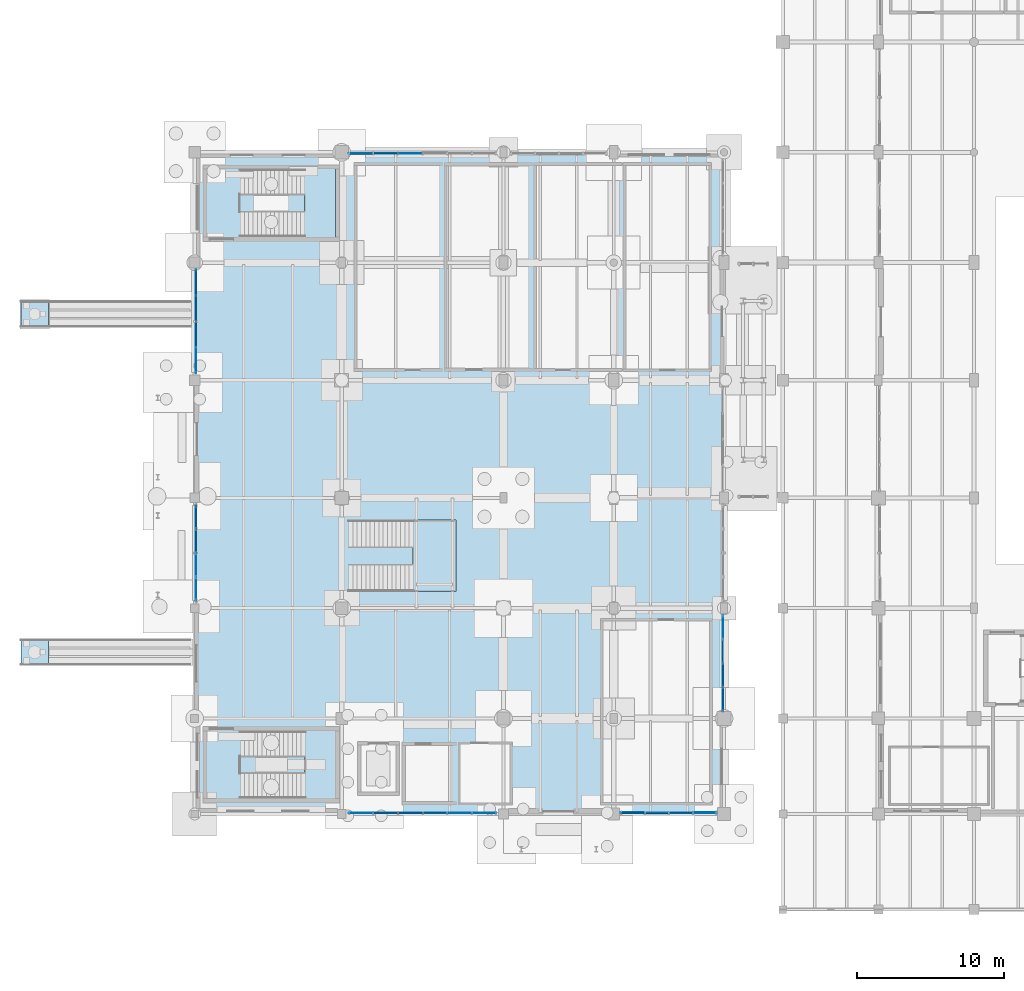
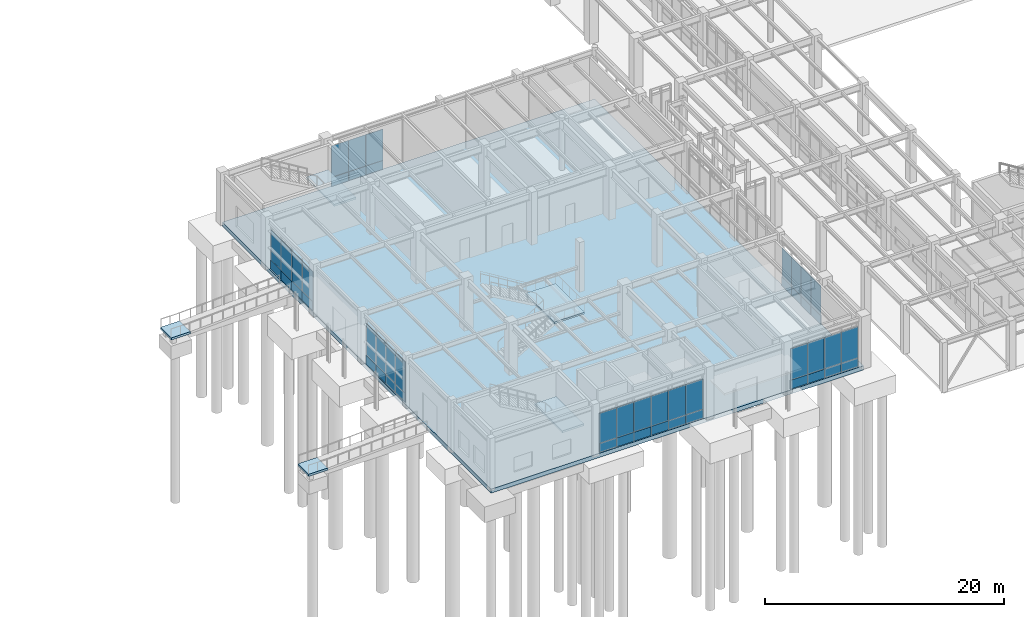
# One storey, part 150 of 203: 50 plates, 6 slabs, 11 elements without a shape of their own.
"""IFC4 building model written with IfcOpenShell, lengths in metres."""

from ifc_helpers import new_model, si_unit, direction, frame, origin, origin_2d, place, context, subcontext, project, spatial, polyline, rectangle, outline, extrude, material, layer, layer_set, type_object, element, aggregate, save


model = new_model("IFC4")

# Units and contexts
model_context = context("Model", 3, precision=1e-05, world=origin(), true_north=direction((0.0, 1.0)))
body_context = subcontext(model_context, "Body", "Model", "MODEL_VIEW")
ifc_project = project(units=[si_unit("LENGTHUNIT", "METRE"), si_unit("AREAUNIT", "SQUARE_METRE"), si_unit("VOLUMEUNIT", "CUBIC_METRE"), si_unit("PLANEANGLEUNIT", "RADIAN"), si_unit("MASSUNIT", "GRAM", prefix="KILO"), si_unit("THERMODYNAMICTEMPERATUREUNIT", "KELVIN"), si_unit("POWERUNIT", "WATT")], contexts=[model_context])

# Site, building, storey
site_placement = place(None, origin())
site = spatial("IfcSite", under=ifc_project, at=site_placement, CompositionType="ELEMENT")
building_placement = place(site_placement, origin())
building = spatial("IfcBuilding", under=site, at=building_placement, Name="Tepalcoro Natatorium and Aquatics Centre", CompositionType="ELEMENT")
storey_placement = place(building_placement, origin())
storey = spatial("IfcBuildingStorey", under=building, at=storey_placement, Name="L00", CompositionType="ELEMENT", Elevation=0.0)

# Curtain wall, plates
ifc_material_1 = material(Name="Bronze-Anodised Extruded Aluminium Alloy EN AW-6063 T6", Category="aluminium")
curtain_wall_type_1 = type_object("IfcCurtainWallType", Name="CW_V3_FOYER", PredefinedType="USERDEFINED", material=ifc_material_1)
curtain_wall_1_placement = place(storey_placement, origin())
curtain_wall_1 = element("IfcCurtainWall", 1, at=curtain_wall_1_placement, inside=storey, type_object=curtain_wall_type_1, Name="V3 L00 S Unitised Curtain Wall Bay 2", ObjectType="UNITISED STOREFRONT", PredefinedType="USERDEFINED")
ifc_material_2 = material(Name="Solar-Control Bronze Tempered Low-E Double Glazing", Category="glass")
ifc_layer_1 = layer(ifc_material_2, 0.048095703125)
ifc_layer_set_1 = layer_set([ifc_layer_1], Name="Solar-Control Bronze Tempered Low-E Double Glazing")
plate_type_1 = type_object("IfcPlateType", Name="PL_ACOUSTIC_IGU_48", PredefinedType="CURTAIN_PANEL", material=ifc_layer_set_1)
plate_1_placement = place(storey_placement, frame((12.989990234375, 6.5712890625, 0.9599609375), z_axis=(0.0, 0.0, 1.0), x_axis=(1.0, 0.0, 0.0)))
plate_1 = element("IfcPlate", 2, at=plate_1_placement, type_object=plate_type_1, Name="CW_V3_FOYER Insulated Glazing Unit", PredefinedType="CURTAIN_PANEL", context=body_context, shape_type="SweptSolid", body=[
    extrude(rectangle(XDim=1.6533203125, YDim=0.048095703125, at=origin_2d()), origin(), (0.0, 0.0, 1.0), 3.073974609375),
])
plate_2_placement = place(storey_placement, frame((18.010009765625, 6.5712890625, 0.9599609375), z_axis=(0.0, 0.0, 1.0), x_axis=(1.0, 0.0, 0.0)))
plate_2 = element("IfcPlate", 3, at=plate_2_placement, type_object=plate_type_1, Name="CW_V3_FOYER Insulated Glazing Unit", PredefinedType="CURTAIN_PANEL", context=body_context, shape_type="SweptSolid", body=[
    extrude(rectangle(XDim=1.6533203125, YDim=0.048095703125, at=origin_2d()), origin(), (0.0, 0.0, 1.0), 3.073974609375),
])

curtain_wall_type_2 = type_object("IfcCurtainWallType", Name="CW_V5_LOWER", PredefinedType="USERDEFINED", material=ifc_material_1)
curtain_wall_2_placement = place(storey_placement, origin())
curtain_wall_2 = element("IfcCurtainWall", 4, at=curtain_wall_2_placement, inside=storey, type_object=curtain_wall_type_2, Name="V3 L00 S Unitised Curtain Wall Bay 4", ObjectType="UNITISED STOREFRONT", PredefinedType="USERDEFINED")
plate_3_placement = place(storey_placement, frame((29.797607421875, 6.580078125, 0.9599609375), z_axis=(0.0, 0.0, 1.0), x_axis=(1.0, 0.0, 0.0)))
plate_3 = element("IfcPlate", 5, at=plate_3_placement, type_object=plate_type_1, Name="CW_V5_LOWER Insulated Glazing Unit", PredefinedType="CURTAIN_PANEL", context=body_context, shape_type="SweptSolid", body=[
    extrude(rectangle(XDim=1.614990234375, YDim=0.048095703125, at=origin_2d()), origin(), (0.0, 0.0, 1.0), 3.197021484375),
])
plate_4_placement = place(storey_placement, frame((34.702392578125, 6.580078125, 0.9599609375), z_axis=(0.0, 0.0, 1.0), x_axis=(1.0, 0.0, 0.0)))
plate_4 = element("IfcPlate", 6, at=plate_4_placement, type_object=plate_type_1, Name="CW_V5_LOWER Insulated Glazing Unit", PredefinedType="CURTAIN_PANEL", context=body_context, shape_type="SweptSolid", body=[
    extrude(rectangle(XDim=1.614990234375, YDim=0.048095703125, at=origin_2d()), origin(), (0.0, 0.0, 1.0), 3.197021484375),
])

# Curtain wall, plate
curtain_wall_type_3 = type_object("IfcCurtainWallType", Name="CW_LEAN_T1_EW", PredefinedType="USERDEFINED", material=ifc_material_1)
curtain_wall_3_placement = place(storey_placement, origin())
curtain_wall_3 = element("IfcCurtainWall", 7, at=curtain_wall_3_placement, inside=storey, type_object=curtain_wall_type_3, Name="V3 L00 N Unitised Curtain Wall Bay 2", ObjectType="FACETED SOLAR GLAZING", PredefinedType="USERDEFINED")
plate_5_placement = place(storey_placement, frame((14.663330078125, 51.4287109375, 0.9599609375), z_axis=(0.0, 0.0, 1.0), x_axis=(1.0, 0.0, 0.0)))
plate_5 = element("IfcPlate", 8, at=plate_5_placement, type_object=plate_type_1, Name="CW_LEAN_T1_EW Insulated Glazing Unit", PredefinedType="CURTAIN_PANEL", context=body_context, shape_type="SweptSolid", body=[
    extrude(rectangle(XDim=1.6533203125, YDim=0.048095703125, at=origin_2d()), origin(), (0.0, 0.0, 1.0), 3.197021484375),
])

# Curtain wall, plates
curtain_wall_4_placement = place(storey_placement, origin())
curtain_wall_4 = element("IfcCurtainWall", 9, at=curtain_wall_4_placement, inside=storey, type_object=curtain_wall_type_3, Name="V3 L00 W Unitised Curtain Wall Bay 3", ObjectType="FACETED SOLAR GLAZING", PredefinedType="USERDEFINED")
plate_6_placement = place(storey_placement, frame((0.090087890625, 21.797607421875, 0.9599609375), z_axis=(0.0, 0.0, 1.0), x_axis=(1.0, 0.0, 0.0)))
plate_6 = element("IfcPlate", 10, at=plate_6_placement, type_object=plate_type_1, Name="CW_LEAN_T1_EW Insulated Glazing Unit", PredefinedType="CURTAIN_PANEL", context=body_context, shape_type="SweptSolid", body=[
    extrude(rectangle(XDim=0.048095703125, YDim=1.614990234375, at=origin_2d()), origin(), (0.0, 0.0, 1.0), 3.197021484375),
])
plate_7_placement = place(storey_placement, frame((0.090087890625, 26.702392578125, 0.9599609375), z_axis=(0.0, 0.0, 1.0), x_axis=(1.0, 0.0, 0.0)))
plate_7 = element("IfcPlate", 11, at=plate_7_placement, type_object=plate_type_1, Name="CW_LEAN_T1_EW Insulated Glazing Unit", PredefinedType="CURTAIN_PANEL", context=body_context, shape_type="SweptSolid", body=[
    extrude(rectangle(XDim=0.048095703125, YDim=1.614990234375, at=origin_2d()), origin(), (0.0, 0.0, 1.0), 3.197021484375),
])

# Curtain wall, plate
curtain_wall_type_4 = type_object("IfcCurtainWallType", Name="CW_LEAN_T2_EW", PredefinedType="USERDEFINED", material=ifc_material_1)
curtain_wall_5_placement = place(storey_placement, origin())
curtain_wall_5 = element("IfcCurtainWall", 12, at=curtain_wall_5_placement, inside=storey, type_object=curtain_wall_type_4, Name="V3 L00 W Unitised Curtain Wall Bay 5", ObjectType="FACETED SOLAR GLAZING", PredefinedType="USERDEFINED")
plate_8_placement = place(storey_placement, frame((0.090087890625, 40.8798828125, 0.9599609375), z_axis=(0.0, 0.0, 1.0), x_axis=(1.0, 0.0, 0.0)))
plate_8 = element("IfcPlate", 13, at=plate_8_placement, type_object=plate_type_1, Name="CW_LEAN_T2_EW Insulated Glazing Unit", PredefinedType="CURTAIN_PANEL", context=body_context, shape_type="SweptSolid", body=[
    extrude(rectangle(XDim=0.048095703125, YDim=1.739990234375, at=origin_2d()), origin(), (0.0, 0.0, 1.0), 3.073974609375),
])

curtain_wall_type_5 = type_object("IfcCurtainWallType", Name="CW_LEAN_T2_NS", PredefinedType="USERDEFINED", material=ifc_material_1)
curtain_wall_6_placement = place(storey_placement, origin())
curtain_wall_6 = element("IfcCurtainWall", 14, at=curtain_wall_6_placement, inside=storey, type_object=curtain_wall_type_5, Name="V3 L00 E Unitised Curtain Wall Bay 2", ObjectType="FACETED SOLAR GLAZING", PredefinedType="USERDEFINED")
plate_9_placement = place(storey_placement, frame((35.923828125, 15.9326171875, 0.9599609375), z_axis=(0.0, 0.0, 1.0), x_axis=(1.0, 0.0, 0.0)))
plate_9 = element("IfcPlate", 15, at=plate_9_placement, type_object=plate_type_1, Name="CW_LEAN_T2_NS Insulated Glazing Unit", PredefinedType="CURTAIN_PANEL", context=body_context, shape_type="SweptSolid", body=[
    extrude(rectangle(XDim=0.048095703125, YDim=1.614990234375, at=origin_2d()), origin(), (0.0, 0.0, 1.0), 2.998046875),
])

# Plate
ifc_layer_2 = layer(ifc_material_2, 0.028076171875)
ifc_layer_set_2 = layer_set([ifc_layer_2], Name="Solar-Control Bronze Tempered Low-E Double Glazing")
plate_type_2 = type_object("IfcPlateType", Name="PL_BRONZE_IGU_28", PredefinedType="CURTAIN_PANEL", material=ifc_layer_set_2)
plate_10_placement = place(storey_placement, frame((11.316650390625, 6.5712890625, 0.9599609375), z_axis=(0.0, 0.0, 1.0), x_axis=(1.0, 0.0, 0.0)))
plate_10 = element("IfcPlate", 16, at=plate_10_placement, type_object=plate_type_2, Name="CW_V3_FOYER Insulated Glazing Unit", PredefinedType="CURTAIN_PANEL", context=body_context, shape_type="SweptSolid", body=[
    extrude(rectangle(XDim=1.6533203125, YDim=0.028076171875, at=origin_2d()), origin(), (0.0, 0.0, 1.0), 3.073974609375),
])

plate_11_placement = place(storey_placement, frame((16.336669921875, 6.5712890625, 0.9599609375), z_axis=(0.0, 0.0, 1.0), x_axis=(1.0, 0.0, 0.0)))
plate_11 = element("IfcPlate", 17, at=plate_11_placement, type_object=plate_type_2, Name="CW_V3_FOYER Insulated Glazing Unit", PredefinedType="CURTAIN_PANEL", context=body_context, shape_type="SweptSolid", body=[
    extrude(rectangle(XDim=1.6533203125, YDim=0.028076171875, at=origin_2d()), origin(), (0.0, 0.0, 1.0), 3.073974609375),
])

plate_12_placement = place(storey_placement, frame((33.0673828125, 6.580078125, 0.9599609375), z_axis=(0.0, 0.0, 1.0), x_axis=(1.0, 0.0, 0.0)))
plate_12 = element("IfcPlate", 18, at=plate_12_placement, type_object=plate_type_2, Name="CW_V5_LOWER Insulated Glazing Unit", PredefinedType="CURTAIN_PANEL", context=body_context, shape_type="SweptSolid", body=[
    extrude(rectangle(XDim=1.614990234375, YDim=0.028076171875, at=origin_2d()), origin(), (0.0, 0.0, 1.0), 3.197021484375),
])

plate_13_placement = place(storey_placement, frame((12.989990234375, 51.4287109375, 0.9599609375), z_axis=(0.0, 0.0, 1.0), x_axis=(1.0, 0.0, 0.0)))
plate_13 = element("IfcPlate", 19, at=plate_13_placement, type_object=plate_type_2, Name="CW_LEAN_T1_EW Insulated Glazing Unit", PredefinedType="CURTAIN_PANEL", context=body_context, shape_type="SweptSolid", body=[
    extrude(rectangle(XDim=1.6533203125, YDim=0.028076171875, at=origin_2d()), origin(), (0.0, 0.0, 1.0), 3.197021484375),
])

plate_14_placement = place(storey_placement, frame((0.090087890625, 25.0673828125, 0.9599609375), z_axis=(0.0, 0.0, 1.0), x_axis=(1.0, 0.0, 0.0)))
plate_14 = element("IfcPlate", 20, at=plate_14_placement, type_object=plate_type_2, Name="CW_LEAN_T1_EW Insulated Glazing Unit", PredefinedType="CURTAIN_PANEL", context=body_context, shape_type="SweptSolid", body=[
    extrude(rectangle(XDim=0.028076171875, YDim=1.614990234375, at=origin_2d()), origin(), (0.0, 0.0, 1.0), 3.197021484375),
])

plate_15_placement = place(storey_placement, frame((0.090087890625, 39.1201171875, 0.9599609375), z_axis=(0.0, 0.0, 1.0), x_axis=(1.0, 0.0, 0.0)))
plate_15 = element("IfcPlate", 21, at=plate_15_placement, type_object=plate_type_2, Name="CW_LEAN_T2_EW Insulated Glazing Unit", PredefinedType="CURTAIN_PANEL", context=body_context, shape_type="SweptSolid", body=[
    extrude(rectangle(XDim=0.028076171875, YDim=1.739990234375, at=origin_2d()), origin(), (0.0, 0.0, 1.0), 3.073974609375),
])

plate_16_placement = place(storey_placement, frame((35.923828125, 14.297607421875, 0.9599609375), z_axis=(0.0, 0.0, 1.0), x_axis=(1.0, 0.0, 0.0)))
plate_16 = element("IfcPlate", 22, at=plate_16_placement, type_object=plate_type_2, Name="CW_LEAN_T2_NS Insulated Glazing Unit", PredefinedType="CURTAIN_PANEL", context=body_context, shape_type="SweptSolid", body=[
    extrude(rectangle(XDim=0.028076171875, YDim=1.614990234375, at=origin_2d()), origin(), (0.0, 0.0, 1.0), 2.998046875),
])

plate_17_placement = place(storey_placement, frame((35.923828125, 19.202392578125, 0.9599609375), z_axis=(0.0, 0.0, 1.0), x_axis=(1.0, 0.0, 0.0)))
plate_17 = element("IfcPlate", 23, at=plate_17_placement, type_object=plate_type_2, Name="CW_LEAN_T2_NS Insulated Glazing Unit", PredefinedType="CURTAIN_PANEL", context=body_context, shape_type="SweptSolid", body=[
    extrude(rectangle(XDim=0.028076171875, YDim=1.614990234375, at=origin_2d()), origin(), (0.0, 0.0, 1.0), 2.998046875),
])

ifc_material_3 = material(Name="Jalisco Cantera Rosa Volcanic Tuff Ashlar Masonry", Category="masonry")
ifc_layer_3 = layer(ifc_material_3, 0.090087890625)
ifc_layer_set_3 = layer_set([ifc_layer_3], Name="Jalisco Cantera Rosa Volcanic Tuff Ashlar Masonry")
plate_type_3 = type_object("IfcPlateType", Name="PL_CANTERA_90", PredefinedType="SHEET", material=ifc_layer_set_3)
plate_18_placement = place(storey_placement, frame((12.989990234375, 6.5712890625, 0.044921875), z_axis=(0.0, 0.0, 1.0), x_axis=(1.0, 0.0, 0.0)))
plate_18 = element("IfcPlate", 24, at=plate_18_placement, type_object=plate_type_3, Name="CW_V3_FOYER Spandrel & Screen Panel", PredefinedType="SHEET", context=body_context, shape_type="SweptSolid", body=[
    extrude(rectangle(XDim=1.6533203125, YDim=0.090087890625, at=origin_2d()), origin(), (0.0, 0.0, 1.0), 0.909912109375),
])

plate_19_placement = place(storey_placement, frame((29.797607421875, 6.580078125, 0.044921875), z_axis=(0.0, 0.0, 1.0), x_axis=(1.0, 0.0, 0.0)))
plate_19 = element("IfcPlate", 25, at=plate_19_placement, type_object=plate_type_3, Name="CW_V5_LOWER Spandrel & Screen Panel", PredefinedType="SHEET", context=body_context, shape_type="SweptSolid", body=[
    extrude(rectangle(XDim=1.614990234375, YDim=0.090087890625, at=origin_2d()), origin(), (0.0, 0.0, 1.0), 0.909912109375),
])

plate_20_placement = place(storey_placement, frame((0.090087890625, 25.0673828125, 0.044921875), z_axis=(0.0, 0.0, 1.0), x_axis=(1.0, 0.0, 0.0)))
plate_20 = element("IfcPlate", 26, at=plate_20_placement, type_object=plate_type_3, Name="CW_LEAN_T1_EW Spandrel & Screen Panel", PredefinedType="SHEET", context=body_context, shape_type="SweptSolid", body=[
    extrude(rectangle(XDim=0.090087890625, YDim=1.614990234375, at=origin_2d()), origin(), (0.0, 0.0, 1.0), 0.909912109375),
])

plate_21_placement = place(storey_placement, frame((0.090087890625, 39.1201171875, 0.044921875), z_axis=(0.0, 0.0, 1.0), x_axis=(1.0, 0.0, 0.0)))
plate_21 = element("IfcPlate", 27, at=plate_21_placement, type_object=plate_type_3, Name="CW_LEAN_T2_EW Spandrel & Screen Panel", PredefinedType="SHEET", context=body_context, shape_type="SweptSolid", body=[
    extrude(rectangle(XDim=0.090087890625, YDim=1.739990234375, at=origin_2d()), origin(), (0.0, 0.0, 1.0), 0.909912109375),
])

plate_22_placement = place(storey_placement, frame((35.923828125, 14.297607421875, 0.044921875), z_axis=(0.0, 0.0, 1.0), x_axis=(1.0, 0.0, 0.0)))
plate_22 = element("IfcPlate", 28, at=plate_22_placement, type_object=plate_type_3, Name="CW_LEAN_T2_NS Spandrel & Screen Panel", PredefinedType="SHEET", context=body_context, shape_type="SweptSolid", body=[
    extrude(rectangle(XDim=0.090087890625, YDim=1.614990234375, at=origin_2d()), origin(), (0.0, 0.0, 1.0), 0.909912109375),
])

ifc_material_4 = material(Name="Clear Tempered Low-E Safety Glazing", Category="glass")
ifc_layer_4 = layer(ifc_material_4, 0.011962890625)
ifc_layer_set_4 = layer_set([ifc_layer_4], Name="Clear Tempered Low-E Safety Glazing")
plate_type_4 = type_object("IfcPlateType", Name="PL_GLASS_12", PredefinedType="CURTAIN_PANEL", material=ifc_layer_set_4)
plate_23_placement = place(storey_placement, frame((14.663330078125, 6.5712890625, 0.9599609375), z_axis=(0.0, 0.0, 1.0), x_axis=(1.0, 0.0, 0.0)))
plate_23 = element("IfcPlate", 29, at=plate_23_placement, type_object=plate_type_4, Name="CW_V3_FOYER Insulated Glazing Unit", PredefinedType="CURTAIN_PANEL", context=body_context, shape_type="SweptSolid", body=[
    extrude(rectangle(XDim=1.6533203125, YDim=0.011962890625, at=origin_2d()), origin(), (0.0, 0.0, 1.0), 3.073974609375),
])

plate_24_placement = place(storey_placement, frame((19.683349609375, 6.5712890625, 0.9599609375), z_axis=(0.0, 0.0, 1.0), x_axis=(1.0, 0.0, 0.0)))
plate_24 = element("IfcPlate", 30, at=plate_24_placement, type_object=plate_type_4, Name="CW_V3_FOYER Insulated Glazing Unit", PredefinedType="CURTAIN_PANEL", context=body_context, shape_type="SweptSolid", body=[
    extrude(rectangle(XDim=1.6533203125, YDim=0.011962890625, at=origin_2d()), origin(), (0.0, 0.0, 1.0), 3.073974609375),
])

plate_25_placement = place(storey_placement, frame((31.4326171875, 6.580078125, 0.9599609375), z_axis=(0.0, 0.0, 1.0), x_axis=(1.0, 0.0, 0.0)))
plate_25 = element("IfcPlate", 31, at=plate_25_placement, type_object=plate_type_4, Name="CW_V5_LOWER Insulated Glazing Unit", PredefinedType="CURTAIN_PANEL", context=body_context, shape_type="SweptSolid", body=[
    extrude(rectangle(XDim=1.614990234375, YDim=0.011962890625, at=origin_2d()), origin(), (0.0, 0.0, 1.0), 3.197021484375),
])

plate_26_placement = place(storey_placement, frame((11.316650390625, 51.4287109375, 0.9599609375), z_axis=(0.0, 0.0, 1.0), x_axis=(1.0, 0.0, 0.0)))
plate_26 = element("IfcPlate", 32, at=plate_26_placement, type_object=plate_type_4, Name="CW_LEAN_T1_EW Insulated Glazing Unit", PredefinedType="CURTAIN_PANEL", context=body_context, shape_type="SweptSolid", body=[
    extrude(rectangle(XDim=1.6533203125, YDim=0.011962890625, at=origin_2d()), origin(), (0.0, 0.0, 1.0), 3.197021484375),
])

plate_27_placement = place(storey_placement, frame((0.090087890625, 23.4326171875, 0.9599609375), z_axis=(0.0, 0.0, 1.0), x_axis=(1.0, 0.0, 0.0)))
plate_27 = element("IfcPlate", 33, at=plate_27_placement, type_object=plate_type_4, Name="CW_LEAN_T1_EW Insulated Glazing Unit", PredefinedType="CURTAIN_PANEL", context=body_context, shape_type="SweptSolid", body=[
    extrude(rectangle(XDim=0.011962890625, YDim=1.614990234375, at=origin_2d()), origin(), (0.0, 0.0, 1.0), 3.197021484375),
])

plate_28_placement = place(storey_placement, frame((0.090087890625, 37.360107421875, 0.9599609375), z_axis=(0.0, 0.0, 1.0), x_axis=(1.0, 0.0, 0.0)))
plate_28 = element("IfcPlate", 34, at=plate_28_placement, type_object=plate_type_4, Name="CW_LEAN_T2_EW Insulated Glazing Unit", PredefinedType="CURTAIN_PANEL", context=body_context, shape_type="SweptSolid", body=[
    extrude(rectangle(XDim=0.011962890625, YDim=1.739990234375, at=origin_2d()), origin(), (0.0, 0.0, 1.0), 3.073974609375),
])

plate_29_placement = place(storey_placement, frame((0.090087890625, 42.639892578125, 0.9599609375), z_axis=(0.0, 0.0, 1.0), x_axis=(1.0, 0.0, 0.0)))
plate_29 = element("IfcPlate", 35, at=plate_29_placement, type_object=plate_type_4, Name="CW_LEAN_T2_EW Insulated Glazing Unit", PredefinedType="CURTAIN_PANEL", context=body_context, shape_type="SweptSolid", body=[
    extrude(rectangle(XDim=0.011962890625, YDim=1.739990234375, at=origin_2d()), origin(), (0.0, 0.0, 1.0), 3.073974609375),
])

plate_30_placement = place(storey_placement, frame((35.923828125, 17.5673828125, 0.9599609375), z_axis=(0.0, 0.0, 1.0), x_axis=(1.0, 0.0, 0.0)))
plate_30 = element("IfcPlate", 36, at=plate_30_placement, type_object=plate_type_4, Name="CW_LEAN_T2_NS Insulated Glazing Unit", PredefinedType="CURTAIN_PANEL", context=body_context, shape_type="SweptSolid", body=[
    extrude(rectangle(XDim=0.011962890625, YDim=1.614990234375, at=origin_2d()), origin(), (0.0, 0.0, 1.0), 2.998046875),
])

ifc_material_5 = material(Name="Volcanic Recinto Basalt Ashlar Masonry", Category="masonry")
ifc_layer_5 = layer(ifc_material_5, 0.110107421875)
ifc_layer_set_5 = layer_set([ifc_layer_5], Name="Volcanic Recinto Basalt Ashlar Masonry")
plate_type_5 = type_object("IfcPlateType", Name="PL_RECINTO_110", PredefinedType="SHEET", material=ifc_layer_set_5)
plate_31_placement = place(storey_placement, frame((14.663330078125, 6.5712890625, 0.044921875), z_axis=(0.0, 0.0, 1.0), x_axis=(1.0, 0.0, 0.0)))
plate_31 = element("IfcPlate", 37, at=plate_31_placement, type_object=plate_type_5, Name="CW_V3_FOYER Spandrel & Screen Panel", PredefinedType="SHEET", context=body_context, shape_type="SweptSolid", body=[
    extrude(rectangle(XDim=1.6533203125, YDim=0.110107421875, at=origin_2d()), origin(), (0.0, 0.0, 1.0), 0.909912109375),
])

plate_32_placement = place(storey_placement, frame((31.4326171875, 6.580078125, 0.044921875), z_axis=(0.0, 0.0, 1.0), x_axis=(1.0, 0.0, 0.0)))
plate_32 = element("IfcPlate", 38, at=plate_32_placement, type_object=plate_type_5, Name="CW_V5_LOWER Spandrel & Screen Panel", PredefinedType="SHEET", context=body_context, shape_type="SweptSolid", body=[
    extrude(rectangle(XDim=1.614990234375, YDim=0.110107421875, at=origin_2d()), origin(), (0.0, 0.0, 1.0), 0.909912109375),
])

plate_33_placement = place(storey_placement, frame((11.316650390625, 51.4287109375, 0.044921875), z_axis=(0.0, 0.0, 1.0), x_axis=(1.0, 0.0, 0.0)))
plate_33 = element("IfcPlate", 39, at=plate_33_placement, type_object=plate_type_5, Name="CW_LEAN_T1_EW Spandrel & Screen Panel", PredefinedType="SHEET", context=body_context, shape_type="SweptSolid", body=[
    extrude(rectangle(XDim=1.6533203125, YDim=0.110107421875, at=origin_2d()), origin(), (0.0, 0.0, 1.0), 0.909912109375),
])

plate_34_placement = place(storey_placement, frame((0.090087890625, 26.702392578125, 0.044921875), z_axis=(0.0, 0.0, 1.0), x_axis=(1.0, 0.0, 0.0)))
plate_34 = element("IfcPlate", 40, at=plate_34_placement, type_object=plate_type_5, Name="CW_LEAN_T1_EW Spandrel & Screen Panel", PredefinedType="SHEET", context=body_context, shape_type="SweptSolid", body=[
    extrude(rectangle(XDim=0.110107421875, YDim=1.614990234375, at=origin_2d()), origin(), (0.0, 0.0, 1.0), 0.909912109375),
])

plate_35_placement = place(storey_placement, frame((0.090087890625, 40.8798828125, 0.044921875), z_axis=(0.0, 0.0, 1.0), x_axis=(1.0, 0.0, 0.0)))
plate_35 = element("IfcPlate", 41, at=plate_35_placement, type_object=plate_type_5, Name="CW_LEAN_T2_EW Spandrel & Screen Panel", PredefinedType="SHEET", context=body_context, shape_type="SweptSolid", body=[
    extrude(rectangle(XDim=0.110107421875, YDim=1.739990234375, at=origin_2d()), origin(), (0.0, 0.0, 1.0), 0.909912109375),
])

plate_36_placement = place(storey_placement, frame((35.923828125, 15.9326171875, 0.044921875), z_axis=(0.0, 0.0, 1.0), x_axis=(1.0, 0.0, 0.0)))
plate_36 = element("IfcPlate", 42, at=plate_36_placement, type_object=plate_type_5, Name="CW_LEAN_T2_NS Spandrel & Screen Panel", PredefinedType="SHEET", context=body_context, shape_type="SweptSolid", body=[
    extrude(rectangle(XDim=0.110107421875, YDim=1.614990234375, at=origin_2d()), origin(), (0.0, 0.0, 1.0), 0.909912109375),
])

ifc_layer_6 = layer(ifc_material_1, 0.050048828125)
ifc_layer_set_6 = layer_set([ifc_layer_6], Name="Bronze-Anodised Extruded Aluminium Alloy EN AW-6063 T6")
plate_type_6 = type_object("IfcPlateType", Name="PL_SCREEN_50", PredefinedType="SHEET", material=ifc_layer_set_6)
plate_37_placement = place(storey_placement, frame((18.010009765625, 6.5712890625, 0.044921875), z_axis=(0.0, 0.0, 1.0), x_axis=(1.0, 0.0, 0.0)))
plate_37 = element("IfcPlate", 43, at=plate_37_placement, type_object=plate_type_6, Name="CW_V3_FOYER Spandrel & Screen Panel", PredefinedType="SHEET", context=body_context, shape_type="SweptSolid", body=[
    extrude(rectangle(XDim=1.6533203125, YDim=0.050048828125, at=origin_2d()), origin(), (0.0, 0.0, 1.0), 0.909912109375),
])

plate_38_placement = place(storey_placement, frame((34.702392578125, 6.580078125, 0.044921875), z_axis=(0.0, 0.0, 1.0), x_axis=(1.0, 0.0, 0.0)))
plate_38 = element("IfcPlate", 44, at=plate_38_placement, type_object=plate_type_6, Name="CW_V5_LOWER Spandrel & Screen Panel", PredefinedType="SHEET", context=body_context, shape_type="SweptSolid", body=[
    extrude(rectangle(XDim=1.614990234375, YDim=0.050048828125, at=origin_2d()), origin(), (0.0, 0.0, 1.0), 0.909912109375),
])

plate_39_placement = place(storey_placement, frame((14.663330078125, 51.4287109375, 0.044921875), z_axis=(0.0, 0.0, 1.0), x_axis=(1.0, 0.0, 0.0)))
plate_39 = element("IfcPlate", 45, at=plate_39_placement, type_object=plate_type_6, Name="CW_LEAN_T1_EW Spandrel & Screen Panel", PredefinedType="SHEET", context=body_context, shape_type="SweptSolid", body=[
    extrude(rectangle(XDim=1.6533203125, YDim=0.050048828125, at=origin_2d()), origin(), (0.0, 0.0, 1.0), 0.909912109375),
])

plate_40_placement = place(storey_placement, frame((0.090087890625, 21.797607421875, 0.044921875), z_axis=(0.0, 0.0, 1.0), x_axis=(1.0, 0.0, 0.0)))
plate_40 = element("IfcPlate", 46, at=plate_40_placement, type_object=plate_type_6, Name="CW_LEAN_T1_EW Spandrel & Screen Panel", PredefinedType="SHEET", context=body_context, shape_type="SweptSolid", body=[
    extrude(rectangle(XDim=0.050048828125, YDim=1.614990234375, at=origin_2d()), origin(), (0.0, 0.0, 1.0), 0.909912109375),
])

plate_41_placement = place(storey_placement, frame((35.923828125, 19.202392578125, 0.044921875), z_axis=(0.0, 0.0, 1.0), x_axis=(1.0, 0.0, 0.0)))
plate_41 = element("IfcPlate", 47, at=plate_41_placement, type_object=plate_type_6, Name="CW_LEAN_T2_NS Spandrel & Screen Panel", PredefinedType="SHEET", context=body_context, shape_type="SweptSolid", body=[
    extrude(rectangle(XDim=0.050048828125, YDim=1.614990234375, at=origin_2d()), origin(), (0.0, 0.0, 1.0), 0.909912109375),
])

ifc_layer_7 = layer(ifc_material_1, 0.06005859375)
ifc_layer_set_7 = layer_set([ifc_layer_7], Name="Bronze-Anodised Extruded Aluminium Alloy EN AW-6063 T6")
plate_type_7 = type_object("IfcPlateType", Name="PL_SCREEN_60", PredefinedType="SHEET", material=ifc_layer_set_7)
plate_42_placement = place(storey_placement, frame((11.316650390625, 6.5712890625, 0.044921875), z_axis=(0.0, 0.0, 1.0), x_axis=(1.0, 0.0, 0.0)))
plate_42 = element("IfcPlate", 48, at=plate_42_placement, type_object=plate_type_7, Name="CW_V3_FOYER Spandrel & Screen Panel", PredefinedType="SHEET", context=body_context, shape_type="SweptSolid", body=[
    extrude(rectangle(XDim=1.6533203125, YDim=0.06005859375, at=origin_2d()), origin(), (0.0, 0.0, 1.0), 0.909912109375),
])

plate_43_placement = place(storey_placement, frame((19.683349609375, 6.5712890625, 0.044921875), z_axis=(0.0, 0.0, 1.0), x_axis=(1.0, 0.0, 0.0)))
plate_43 = element("IfcPlate", 49, at=plate_43_placement, type_object=plate_type_7, Name="CW_V3_FOYER Spandrel & Screen Panel", PredefinedType="SHEET", context=body_context, shape_type="SweptSolid", body=[
    extrude(rectangle(XDim=1.6533203125, YDim=0.06005859375, at=origin_2d()), origin(), (0.0, 0.0, 1.0), 0.909912109375),
])

plate_44_placement = place(storey_placement, frame((0.090087890625, 23.4326171875, 0.044921875), z_axis=(0.0, 0.0, 1.0), x_axis=(1.0, 0.0, 0.0)))
plate_44 = element("IfcPlate", 50, at=plate_44_placement, type_object=plate_type_7, Name="CW_LEAN_T1_EW Spandrel & Screen Panel", PredefinedType="SHEET", context=body_context, shape_type="SweptSolid", body=[
    extrude(rectangle(XDim=0.06005859375, YDim=1.614990234375, at=origin_2d()), origin(), (0.0, 0.0, 1.0), 0.909912109375),
])

aggregate(curtain_wall_4, [plate_6, plate_40, plate_27, plate_44, plate_14, plate_20, plate_7, plate_34])

plate_45_placement = place(storey_placement, frame((0.090087890625, 37.360107421875, 0.044921875), z_axis=(0.0, 0.0, 1.0), x_axis=(1.0, 0.0, 0.0)))
plate_45 = element("IfcPlate", 51, at=plate_45_placement, type_object=plate_type_7, Name="CW_LEAN_T2_EW Spandrel & Screen Panel", PredefinedType="SHEET", context=body_context, shape_type="SweptSolid", body=[
    extrude(rectangle(XDim=0.06005859375, YDim=1.739990234375, at=origin_2d()), origin(), (0.0, 0.0, 1.0), 0.909912109375),
])

ifc_material_6 = material(Name="Insulated Bronze Anodised Aluminium Spandrel Panel", Category="aluminium")
ifc_layer_8 = layer(ifc_material_6, 0.070068359375)
ifc_layer_set_8 = layer_set([ifc_layer_8], Name="Insulated Bronze Anodised Aluminium Spandrel Panel")
plate_type_8 = type_object("IfcPlateType", Name="PL_SPANDREL_70", PredefinedType="CURTAIN_PANEL", material=ifc_layer_set_8)
plate_46_placement = place(storey_placement, frame((16.336669921875, 6.5712890625, 0.044921875), z_axis=(0.0, 0.0, 1.0), x_axis=(1.0, 0.0, 0.0)))
plate_46 = element("IfcPlate", 52, at=plate_46_placement, type_object=plate_type_8, Name="CW_V3_FOYER Spandrel & Screen Panel", PredefinedType="CURTAIN_PANEL", context=body_context, shape_type="SweptSolid", body=[
    extrude(rectangle(XDim=1.6533203125, YDim=0.070068359375, at=origin_2d()), origin(), (0.0, 0.0, 1.0), 0.909912109375),
])

aggregate(curtain_wall_1, [plate_10, plate_42, plate_1, plate_18, plate_23, plate_31, plate_11, plate_46, plate_2, plate_37, plate_24, plate_43])

plate_47_placement = place(storey_placement, frame((33.0673828125, 6.580078125, 0.044921875), z_axis=(0.0, 0.0, 1.0), x_axis=(1.0, 0.0, 0.0)))
plate_47 = element("IfcPlate", 53, at=plate_47_placement, type_object=plate_type_8, Name="CW_V5_LOWER Spandrel & Screen Panel", PredefinedType="CURTAIN_PANEL", context=body_context, shape_type="SweptSolid", body=[
    extrude(rectangle(XDim=1.614990234375, YDim=0.070068359375, at=origin_2d()), origin(), (0.0, 0.0, 1.0), 0.909912109375),
])

aggregate(curtain_wall_2, [plate_3, plate_19, plate_25, plate_32, plate_12, plate_47, plate_4, plate_38])

plate_48_placement = place(storey_placement, frame((12.989990234375, 51.4287109375, 0.044921875), z_axis=(0.0, 0.0, 1.0), x_axis=(1.0, 0.0, 0.0)))
plate_48 = element("IfcPlate", 54, at=plate_48_placement, type_object=plate_type_8, Name="CW_LEAN_T1_EW Spandrel & Screen Panel", PredefinedType="CURTAIN_PANEL", context=body_context, shape_type="SweptSolid", body=[
    extrude(rectangle(XDim=1.6533203125, YDim=0.070068359375, at=origin_2d()), origin(), (0.0, 0.0, 1.0), 0.909912109375),
])

aggregate(curtain_wall_3, [plate_26, plate_33, plate_13, plate_48, plate_5, plate_39])

plate_49_placement = place(storey_placement, frame((0.090087890625, 42.639892578125, 0.044921875), z_axis=(0.0, 0.0, 1.0), x_axis=(1.0, 0.0, 0.0)))
plate_49 = element("IfcPlate", 55, at=plate_49_placement, type_object=plate_type_8, Name="CW_LEAN_T2_EW Spandrel & Screen Panel", PredefinedType="CURTAIN_PANEL", context=body_context, shape_type="SweptSolid", body=[
    extrude(rectangle(XDim=0.070068359375, YDim=1.739990234375, at=origin_2d()), origin(), (0.0, 0.0, 1.0), 0.909912109375),
])

aggregate(curtain_wall_5, [plate_28, plate_45, plate_15, plate_21, plate_8, plate_35, plate_29, plate_49])

plate_50_placement = place(storey_placement, frame((35.923828125, 17.5673828125, 0.044921875), z_axis=(0.0, 0.0, 1.0), x_axis=(1.0, 0.0, 0.0)))
plate_50 = element("IfcPlate", 56, at=plate_50_placement, type_object=plate_type_8, Name="CW_LEAN_T2_NS Spandrel & Screen Panel", PredefinedType="CURTAIN_PANEL", context=body_context, shape_type="SweptSolid", body=[
    extrude(rectangle(XDim=0.070068359375, YDim=1.614990234375, at=origin_2d()), origin(), (0.0, 0.0, 1.0), 0.909912109375),
])

aggregate(curtain_wall_6, [plate_16, plate_22, plate_9, plate_36, plate_30, plate_50, plate_17, plate_41])

# Slab
ifc_material_7 = material(Name="Concrete C40/50 (fc 40 MPa)", Category="concrete")
ifc_layer_9 = layer(ifc_material_7, 0.419921875)
ifc_layer_set_9 = layer_set([ifc_layer_9], Name="Concrete C40/50 (fc 40 MPa)")
slab_type_1 = type_object("IfcSlabType", Name="SL_BASE_420", PredefinedType="BASESLAB", material=ifc_layer_set_9)
slab_1_placement = place(storey_placement, frame((0.0, 0.0, -0.419921875)))
element("IfcSlab", 57, at=slab_1_placement, inside=storey, type_object=slab_type_1, Name="V3 L00 Natatorium and Civic Floor Slab MAIN", PredefinedType="BASESLAB", context=body_context, shape_type="SweptSolid", body=[
    extrude(outline(polyline([(36.0, 6.5), (36.0, 51.5), (0.0, 51.5), (0.0, 6.5), (36.0, 6.5)])), origin(), (0.0, 0.0, 1.0), 0.419921875),
])

# Stair, slab
ifc_material_8 = material(Name="Concrete C35/45 (fc 35 MPa)", Category="concrete")
stair_type_1 = type_object("IfcStairType", Name="ST_RC_1800_L03", PredefinedType="HALF_TURN_STAIR", material=ifc_material_8)
stair_1_placement = place(storey_placement, origin())
stair_1 = element("IfcStair", 58, at=stair_1_placement, inside=storey, type_object=stair_type_1, Name="Entrance Atrium South Fire Stair (L00 to L01)", PredefinedType="HALF_TURN_STAIR")
ifc_layer_10 = layer(ifc_material_8, 0.199951171875)
ifc_layer_set_10 = layer_set([ifc_layer_10], Name="Concrete C35/45 (fc 35 MPa)")
slab_type_2 = type_object("IfcSlabType", Name="SL_LANDING_200", PredefinedType="LANDING", material=ifc_layer_set_10)
slab_2_placement = place(storey_placement, frame((0.0, 0.0, 2.5)))
slab_2 = element("IfcSlab", 59, at=slab_2_placement, type_object=slab_type_2, Name="Entrance Atrium South Fire Stair (L00 to L01) Half-Landing", PredefinedType="LANDING", context=body_context, shape_type="SweptSolid", body=[
    extrude(outline(polyline([(7.485107421875, 7.530029296875), (9.570068359375, 7.530029296875), (9.570068359375, 12.169921875), (7.485107421875, 12.169921875), (7.485107421875, 7.530029296875)])), origin(), (0.0, 0.0, 1.0), 0.199951171875),
])
aggregate(stair_1, [slab_2])

stair_type_2 = type_object("IfcStairType", Name="ST_RC_1800_B1", PredefinedType="HALF_TURN_STAIR", material=ifc_material_8)
stair_2_placement = place(storey_placement, origin())
stair_2 = element("IfcStair", 60, at=stair_2_placement, inside=storey, type_object=stair_type_2, Name="Entrance Atrium North Fire Stair (L00 to L01)", PredefinedType="HALF_TURN_STAIR")
slab_3_placement = place(storey_placement, frame((0.0, 0.0, 2.5)))
slab_3 = element("IfcSlab", 61, at=slab_3_placement, type_object=slab_type_2, Name="Entrance Atrium North Fire Stair (L00 to L01) Half-Landing", PredefinedType="LANDING", context=body_context, shape_type="SweptSolid", body=[
    extrude(outline(polyline([(7.465087890625, 45.7099609375), (9.590087890625, 45.7099609375), (9.590087890625, 50.389892578125), (7.465087890625, 50.389892578125), (7.465087890625, 45.7099609375)])), origin(), (0.0, 0.0, 1.0), 0.199951171875),
])
aggregate(stair_2, [slab_3])

stair_type_3 = type_object("IfcStairType", Name="ST_ST_2400_FEAT", PredefinedType="STRAIGHT_RUN_STAIR", material=ifc_material_8)
stair_3_placement = place(storey_placement, origin())
stair_3 = element("IfcStair", 62, at=stair_3_placement, inside=storey, type_object=stair_type_3, Name="V3 Grand Civic Atrium Feature Stair", PredefinedType="STRAIGHT_RUN_STAIR")
slab_4_placement = place(storey_placement, frame((0.0, 0.0, 2.5)))
slab_4 = element("IfcSlab", 63, at=slab_4_placement, type_object=slab_type_2, Name="V3 Grand Civic Atrium Feature Stair Half-Landing", PredefinedType="LANDING", context=body_context, shape_type="SweptSolid", body=[
    extrude(outline(polyline([(14.844970703125, 21.6201171875), (17.780029296875, 21.6201171875), (17.780029296875, 26.47998046875), (14.844970703125, 26.47998046875), (14.844970703125, 21.6201171875)])), origin(), (0.0, 0.0, 1.0), 0.199951171875),
])
aggregate(stair_3, [slab_4])

# Ramp, slab
ramp_type = type_object("IfcRampType", Name="RP_PED_1800", PredefinedType="STRAIGHT_RUN_RAMP", material=ifc_material_8)
ramp_1_placement = place(storey_placement, origin())
ramp_1 = element("IfcRamp", 64, at=ramp_1_placement, inside=storey, type_object=ramp_type, Name="V3 West Plaza Accessible Ramp North", PredefinedType="STRAIGHT_RUN_RAMP")
slab_5_placement = place(storey_placement, frame((0.0, 0.0, -0.699951171875)))
slab_5 = element("IfcSlab", 65, at=slab_5_placement, type_object=slab_type_2, Name="V3 West Plaza Accessible Ramp North Bottom Level Landing", PredefinedType="LANDING", context=body_context, shape_type="SweptSolid", body=[
    extrude(outline(polyline([(-11.800048828125, 16.60009765625), (-9.93994140625, 16.60009765625), (-9.93994140625, 18.39990234375), (-11.800048828125, 18.39990234375), (-11.800048828125, 16.60009765625)])), origin(), (0.0, 0.0, 1.0), 0.219970703125),
])
aggregate(ramp_1, [slab_5])

ramp_2_placement = place(storey_placement, origin())
ramp_2 = element("IfcRamp", 66, at=ramp_2_placement, inside=storey, type_object=ramp_type, Name="V3 West Plaza Accessible Ramp South", PredefinedType="STRAIGHT_RUN_RAMP")
slab_6_placement = place(storey_placement, frame((0.0, 0.0, -0.699951171875)))
slab_6 = element("IfcSlab", 67, at=slab_6_placement, type_object=slab_type_2, Name="V3 West Plaza Accessible Ramp South Bottom Level Landing", PredefinedType="LANDING", context=body_context, shape_type="SweptSolid", body=[
    extrude(outline(polyline([(-11.800048828125, 39.60009765625), (-9.93994140625, 39.60009765625), (-9.93994140625, 41.39990234375), (-11.800048828125, 41.39990234375), (-11.800048828125, 39.60009765625)])), origin(), (0.0, 0.0, 1.0), 0.219970703125),
])
aggregate(ramp_2, [slab_6])

save(model, "model.ifc")
